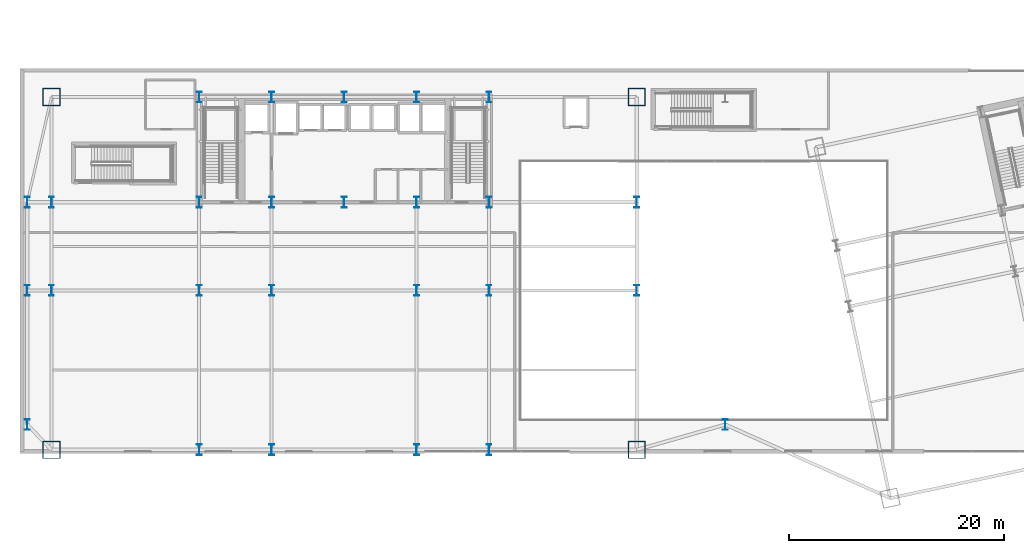
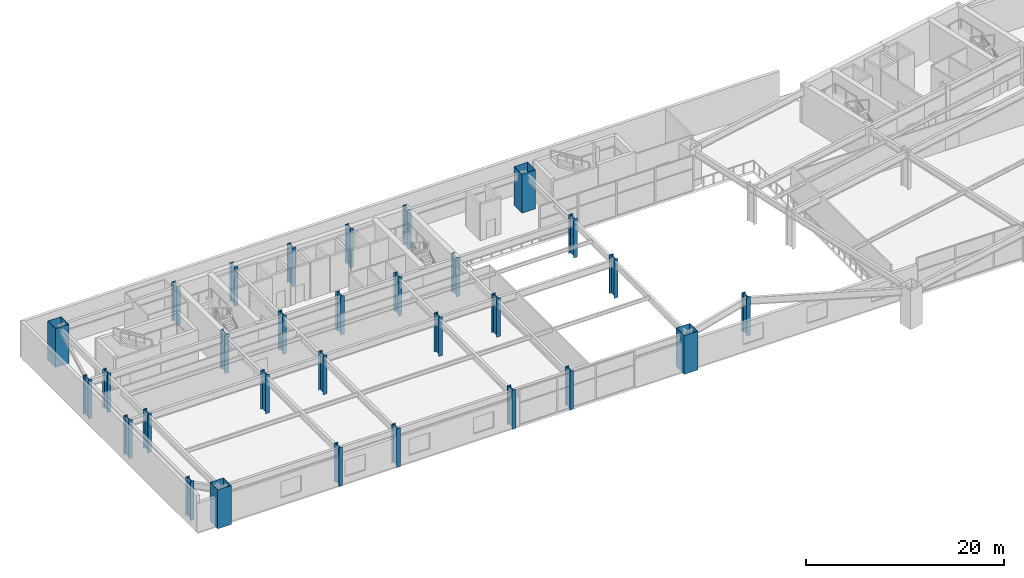
# One storey, part 1 of 30: 30 columns.
"""IFC4 building model written with IfcOpenShell, lengths in metres."""

import ifcopenshell
import ifcopenshell.guid

model = None  # the IFC model being written
_history = None  # IfcOwnerHistory: only IFC2X3 demands one
_inside = {}  # id of a spatial element -> (the spatial element, [elements in it])
_under = {}  # id of a project, library or spatial element -> (it, [spatial elements below it])
_declared = {}  # id of a project -> (the project, [libraries it declares])
_typed = {}  # id of a type object -> (the type object, [elements of that type])
_made_of = {}  # id of a material, layer set ... -> (it, [elements and type objects made of it])


def new_model(schema):
    """Start an empty IFC model of exactly this schema.

    Asked for "IFC4X3", IfcOpenShell would pick the latest addendum, in which some entities
    have other attributes; the version numbers below select the first issue.
    IFC2X3 requires an IfcOwnerHistory on every rooted entity: one is made here for all.
    """
    global model, _history
    if schema == "IFC4X3":
        model = ifcopenshell.file(schema_version=(4, 3, 0, 0))
    else:
        model = ifcopenshell.file(schema=schema)
    _inside.clear()
    _under.clear()
    _declared.clear()
    _typed.clear()
    _made_of.clear()
    _history = None
    if model.schema == "IFC2X3":
        org = make("IfcOrganization", Name="unknown")
        user = make(
            "IfcPersonAndOrganization",
            ThePerson=make("IfcPerson", FamilyName="unknown"),
            TheOrganization=org,
        )
        app = make(
            "IfcApplication",
            ApplicationDeveloper=org,
            Version="unknown",
            ApplicationFullName="unknown",
            ApplicationIdentifier="unknown",
        )
        _history = make(
            "IfcOwnerHistory",
            OwningUser=user,
            OwningApplication=app,
            ChangeAction="ADDED",
            CreationDate=0,
        )
    return model


def make(cls, **values):
    """One entity of the class cls with the attributes given. An attribute that is None is left unset."""
    return model.create_entity(
        cls, **{name: value for name, value in values.items() if value is not None}
    )


def rooted(cls, **values):
    """An entity with a GlobalId (a new one), such as an element, a storey or a relation."""
    return make(cls, GlobalId=ifcopenshell.guid.new(), OwnerHistory=_history, **values)


def si_unit(unit_type, name, prefix=None):
    """IfcSIUnit, for example si_unit("LENGTHUNIT", "METRE", prefix="MILLI")."""
    return make("IfcSIUnit", UnitType=unit_type, Prefix=prefix, Name=name)


def assignment(units):
    """IfcUnitAssignment: the units of a project."""
    return None if units is None else make("IfcUnitAssignment", Units=units)


def point(xyz):
    """IfcCartesianPoint."""
    return None if xyz is None else make("IfcCartesianPoint", Coordinates=xyz)


def direction(xyz):
    """IfcDirection."""
    return None if xyz is None else make("IfcDirection", DirectionRatios=xyz)


def frame(location, z_axis=None, x_axis=None):
    """IfcAxis2Placement3D, a coordinate frame: its origin and axes. An axis left out is left unset."""
    return make(
        "IfcAxis2Placement3D",
        Location=point(location),
        Axis=direction(z_axis),
        RefDirection=direction(x_axis),
    )


def frame_2d(location, x_axis=None):
    """IfcAxis2Placement2D, a coordinate frame in the plane: its origin and x axis."""
    return make(
        "IfcAxis2Placement2D", Location=point(location), RefDirection=direction(x_axis)
    )


def origin():
    """The frame at (0, 0, 0) with its axes left unset."""
    return frame((0.0, 0.0, 0.0))


def origin_2d():
    """The frame at (0, 0) in the plane with its x axis left unset."""
    return frame_2d((0.0, 0.0))


def place(relative_to, where):
    """IfcLocalPlacement: puts the frame where relative to a parent placement (None: the world)."""
    return make(
        "IfcLocalPlacement", PlacementRelTo=relative_to, RelativePlacement=where
    )


def context(
    kind, dimensions, precision=None, world=None, true_north=None, identifier=None
):
    """IfcGeometricRepresentationContext, for example the 3D "Model" context."""
    return make(
        "IfcGeometricRepresentationContext",
        ContextIdentifier=identifier,
        ContextType=kind,
        CoordinateSpaceDimension=dimensions,
        Precision=precision,
        WorldCoordinateSystem=world,
        TrueNorth=true_north,
    )


def subcontext(parent, identifier, kind, view, scale=None):
    """IfcGeometricRepresentationSubContext, for example "Body" below "Model"."""
    return make(
        "IfcGeometricRepresentationSubContext",
        ContextIdentifier=identifier,
        ContextType=kind,
        ParentContext=parent,
        TargetScale=scale,
        TargetView=view,
    )


def project(units=None, contexts=None):
    """IfcProject with its units and contexts."""
    return rooted(
        "IfcProject",
        Name="project",
        RepresentationContexts=contexts,
        UnitsInContext=assignment(units),
    )


def spatial(cls, under=None, at=None, **own):
    """A site, building, storey or space (cls), placed at a placement, below another one or the project."""
    s = rooted(cls, ObjectPlacement=at, **own)
    if under is not None:
        _under.setdefault(under.id(), (under, []))[1].append(s)
    return s


def profile(cls, at=None, kind="AREA", **sizes):
    """A parametric profile (cls). Its sizes go by their IFC names, for example OverallWidth=200.0."""
    return make(cls, ProfileType=kind, Position=at, **sizes)


def hollow_rectangle(**sizes):
    """IfcRectangleHollowProfileDef."""
    return profile("IfcRectangleHollowProfileDef", **sizes)


def i_section(**sizes):
    """IfcIShapeProfileDef."""
    return profile("IfcIShapeProfileDef", **sizes)


def extrude(swept, where, along, depth):
    """IfcExtrudedAreaSolid: the profile swept, set in the frame where, extruded along a direction by depth."""
    return make(
        "IfcExtrudedAreaSolid",
        SweptArea=swept,
        Position=where,
        ExtrudedDirection=direction(along),
        Depth=depth,
    )


def shape(context_of_items, identifier, shape_type, items):
    """IfcShapeRepresentation: the items that make up one representation, for example the "Body"."""
    return make(
        "IfcShapeRepresentation",
        ContextOfItems=context_of_items,
        RepresentationIdentifier=identifier,
        RepresentationType=shape_type,
        Items=items,
    )


def material(Name=None, Category=None):
    """IfcMaterial."""
    return make("IfcMaterial", Name=Name, Category=Category)


def material_profile(
    of_material, cross_section, Name=None, Category=None, Priority=None
):
    """IfcMaterialProfile: a cross section and its material."""
    return make(
        "IfcMaterialProfile",
        Name=Name,
        Material=of_material,
        Profile=cross_section,
        Priority=Priority,
        Category=Category,
    )


def profile_set(profiles, Name=None, composite=None):
    """IfcMaterialProfileSet."""
    return make(
        "IfcMaterialProfileSet",
        Name=Name,
        MaterialProfiles=profiles,
        CompositeProfile=composite,
    )


def made_of(thing, what):
    """Note that an element or type object is made of a material, layer set ...; save() writes the relation."""
    if what is not None:
        _made_of.setdefault(what.id(), (what, []))[1].append(thing)
    return thing


def type_object(cls, material=None, **own):
    """A type object (cls), such as IfcWallType, which elements share."""
    return made_of(rooted(cls, **own), material)


def element(
    cls,
    number,
    at=None,
    inside=None,
    cuts=None,
    type_object=None,
    material=None,
    context=None,
    identifier="Body",
    shape_type=None,
    held_by="IfcProductDefinitionShape",
    body=None,
    shapes=None,
    **own,
):
    """One element of the class cls, such as IfcWall. Its Tag is "e" and its number.

    at: its placement. inside: the storey or other place that contains it. cuts: it is an
    opening in that element (IfcRelVoidsElement). A single representation is given by context,
    identifier, shape_type and body (its items); several are given by shapes. held_by: the class
    of the entity that holds the representations. save() writes the other relations.
    """
    e = rooted(cls, Tag="e%d" % number, ObjectPlacement=at, **own)
    if body is not None:
        shapes = [shape(context, identifier, shape_type, body)]
    if shapes is not None:
        e.Representation = make(held_by, Representations=shapes)
    if inside is not None:
        _inside.setdefault(inside.id(), (inside, []))[1].append(e)
    if cuts is not None:
        rooted(
            "IfcRelVoidsElement", RelatingBuildingElement=cuts, RelatedOpeningElement=e
        )
    if type_object is not None:
        _typed.setdefault(type_object.id(), (type_object, []))[1].append(e)
    return made_of(e, material)


def aggregate(whole, parts):
    """IfcRelAggregates: a whole, such as a stair, and the parts it consists of."""
    return rooted("IfcRelAggregates", RelatingObject=whole, RelatedObjects=parts)


def save(model, path):
    """Write the relations noted so far, then the file.

    IfcRelAggregates (storeys below a building ...), IfcRelContainedInSpatialStructure (elements
    in a storey), IfcRelDefinesByType, IfcRelAssociatesMaterial and IfcRelDeclares: one each for
    every whole, place, type object, material and project.
    """
    for whole, parts in _under.values():
        aggregate(whole, parts)
    for where, things in _inside.values():
        rooted(
            "IfcRelContainedInSpatialStructure",
            RelatedElements=things,
            RelatingStructure=where,
        )
    for kind, things in _typed.values():
        rooted("IfcRelDefinesByType", RelatedObjects=things, RelatingType=kind)
    for what, things in _made_of.values():
        rooted("IfcRelAssociatesMaterial", RelatedObjects=things, RelatingMaterial=what)
    for by, libraries in _declared.values():
        rooted("IfcRelDeclares", RelatingContext=by, RelatedDefinitions=libraries)
    model.write(path)


model = new_model("IFC4")

# Units and contexts
model_context = context("Model", 3, precision=1e-05, world=origin(), true_north=direction((0.0, 1.0)))
body_context = subcontext(model_context, "Body", "Model", "MODEL_VIEW")
ifc_project = project(units=[si_unit("LENGTHUNIT", "METRE"), si_unit("AREAUNIT", "SQUARE_METRE"), si_unit("VOLUMEUNIT", "CUBIC_METRE"), si_unit("PLANEANGLEUNIT", "RADIAN"), si_unit("MASSUNIT", "GRAM", prefix="KILO")], contexts=[model_context])

# Site, building, storey
site_placement = place(None, origin())
site = spatial("IfcSite", under=ifc_project, at=site_placement, CompositionType="ELEMENT")
building_placement = place(site_placement, origin())
building = spatial("IfcBuilding", under=site, at=building_placement, Name="Haevon Station Towers", CompositionType="ELEMENT")
storey_placement = place(building_placement, frame((0.0, 0.0, 15.60009765625)))
storey = spatial("IfcBuildingStorey", under=building, at=storey_placement, Name="L03", CompositionType="ELEMENT", Elevation=15.60009765625)

# Columns
ifc_material = material(Name="Steel S460", Category="steel")
ifc_material_profile_1 = material_profile(ifc_material, hollow_rectangle(XDim=1.60009765625, YDim=1.60009765625, WallThickness=0.0400390625, at=origin_2d()), Name="BOX-1600x1600x40")
ifc_profile_set_1 = profile_set([ifc_material_profile_1], Name="Steel S460")
column_type_1 = type_object("IfcColumnType", Name="COL-MC1", PredefinedType="COLUMN", material=ifc_profile_set_1)
for number, where, z_axis, x_axis, name in (
    (1, (10.25, 15.14990234375, 0.0), (0.0, 0.0, 1.0), (1.0, 0.0, 0.0), "COL-T1-L03-01-01"),
    (2, (10.25, 48.0, 0.0), (0.0, 0.0, 1.0), (1.0, 0.0, 0.0), "COL-T1-L03-01-04"),
    (3, (64.75, 15.14990234375, 0.0), (0.0, 0.0, 1.0), (1.0, 0.0, 0.0), "COL-T1-L03-07-01"),
    (4, (64.75, 48.0, 0.0), (0.0, 0.0, 1.0), (1.0, 0.0, 0.0), "COL-T1-L03-07-04"),
):
    element("IfcColumn", number, at=place(storey_placement, frame(where, z_axis=z_axis, x_axis=x_axis)), inside=storey, type_object=column_type_1, Name=name, PredefinedType="COLUMN", context=body_context, shape_type="SweptSolid", body=[
        extrude(hollow_rectangle(XDim=1.60009765625, YDim=1.60009765625, WallThickness=0.0400390625, at=origin_2d()), origin(), (0.0, 0.0, 1.0), 4.7998046875),
    ])
ifc_material_profile_2 = material_profile(ifc_material, i_section(OverallWidth=0.449951171875, OverallDepth=1.0, WebThickness=0.02197265625, FlangeThickness=0.0400390625, at=origin_2d()), Name="H-1000x450x22x40")
ifc_profile_set_2 = profile_set([ifc_material_profile_2], Name="Steel S460")
column_type_2 = type_object("IfcColumnType", Name="COL-POD1", PredefinedType="COLUMN", material=ifc_profile_set_2)
for number, where, z_axis, x_axis, name in (
    (5, (10.25, 30.0, 0.0), (0.0, 0.0, 1.0), (1.0, 0.0, 0.0), "COL-T1-L03-01-02"),
    (6, (10.25, 38.199951171875, 0.0), (0.0, 0.0, 1.0), (1.0, 0.0, 0.0), "COL-T1-L03-01-03"),
    (7, (24.0, 15.14990234375, 0.0), (0.0, 0.0, 1.0), (1.0, 0.0, 0.0), "COL-T1-L03-02-01"),
    (8, (24.0, 30.0, 0.0), (0.0, 0.0, 1.0), (1.0, 0.0, 0.0), "COL-T1-L03-02-02"),
    (9, (24.0, 38.199951171875, 0.0), (0.0, 0.0, 1.0), (1.0, 0.0, 0.0), "COL-T1-L03-02-03"),
    (10, (24.0, 48.0, 0.0), (0.0, 0.0, 1.0), (1.0, 0.0, 0.0), "COL-T1-L03-02-04"),
    (11, (30.75, 15.14990234375, 0.0), (0.0, 0.0, 1.0), (1.0, 0.0, 0.0), "COL-T1-L03-03-01"),
    (12, (30.75, 30.0, 0.0), (0.0, 0.0, 1.0), (1.0, 0.0, 0.0), "COL-T1-L03-03-02"),
    (13, (30.75, 38.199951171875, 0.0), (0.0, 0.0, 1.0), (1.0, 0.0, 0.0), "COL-T1-L03-03-03"),
    (14, (30.75, 48.0, 0.0), (0.0, 0.0, 1.0), (1.0, 0.0, 0.0), "COL-T1-L03-03-04"),
    (15, (37.5, 38.199951171875, 0.0), (0.0, 0.0, 1.0), (1.0, 0.0, 0.0), "COL-T1-L03-04-03"),
    (16, (37.5, 48.0, 0.0), (0.0, 0.0, 1.0), (1.0, 0.0, 0.0), "COL-T1-L03-04-04"),
    (17, (44.25, 15.14990234375, 0.0), (0.0, 0.0, 1.0), (1.0, 0.0, 0.0), "COL-T1-L03-05-01"),
    (18, (44.25, 30.0, 0.0), (0.0, 0.0, 1.0), (1.0, 0.0, 0.0), "COL-T1-L03-05-02"),
    (19, (44.25, 38.199951171875, 0.0), (0.0, 0.0, 1.0), (1.0, 0.0, 0.0), "COL-T1-L03-05-03"),
    (20, (44.25, 48.0, 0.0), (0.0, 0.0, 1.0), (1.0, 0.0, 0.0), "COL-T1-L03-05-04"),
    (21, (51.0, 15.14990234375, 0.0), (0.0, 0.0, 1.0), (1.0, 0.0, 0.0), "COL-T1-L03-06-01"),
    (22, (51.0, 30.0, 0.0), (0.0, 0.0, 1.0), (1.0, 0.0, 0.0), "COL-T1-L03-06-02"),
    (23, (51.0, 38.199951171875, 0.0), (0.0, 0.0, 1.0), (1.0, 0.0, 0.0), "COL-T1-L03-06-03"),
    (24, (51.0, 48.0, 0.0), (0.0, 0.0, 1.0), (1.0, 0.0, 0.0), "COL-T1-L03-06-04"),
    (25, (64.75, 30.0, 0.0), (0.0, 0.0, 1.0), (1.0, 0.0, 0.0), "COL-T1-L03-07-02"),
    (26, (64.75, 38.199951171875, 0.0), (0.0, 0.0, 1.0), (1.0, 0.0, 0.0), "COL-T1-L03-07-03"),
    (27, (8.0, 17.5, 0.0), (0.0, 0.0, 1.0), (1.0, 0.0, 0.0), "COL-POD-L03-W1"),
    (28, (8.0, 30.0, 0.0), (0.0, 0.0, 1.0), (1.0, 0.0, 0.0), "COL-POD-L03-W2"),
    (29, (8.0, 38.199951171875, 0.0), (0.0, 0.0, 1.0), (1.0, 0.0, 0.0), "COL-POD-L03-W3"),
    (30, (73.0, 17.5, 0.0), (0.0, 0.0, 1.0), (1.0, 0.0, 0.0), "COL-POD-L03-M1"),
):
    element("IfcColumn", number, at=place(storey_placement, frame(where, z_axis=z_axis, x_axis=x_axis)), inside=storey, type_object=column_type_2, Name=name, PredefinedType="COLUMN", context=body_context, shape_type="SweptSolid", body=[
        extrude(i_section(OverallWidth=0.449951171875, OverallDepth=1.0, WebThickness=0.02197265625, FlangeThickness=0.0400390625, at=origin_2d()), origin(), (0.0, 0.0, 1.0), 4.7998046875),
    ])

save(model, "model.ifc")
